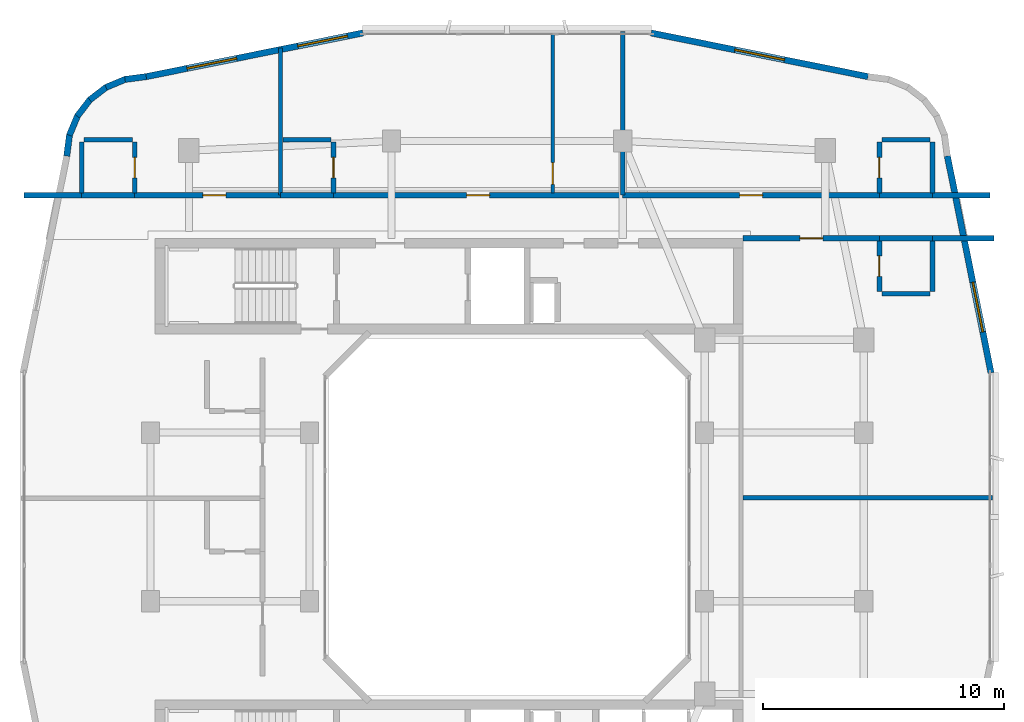
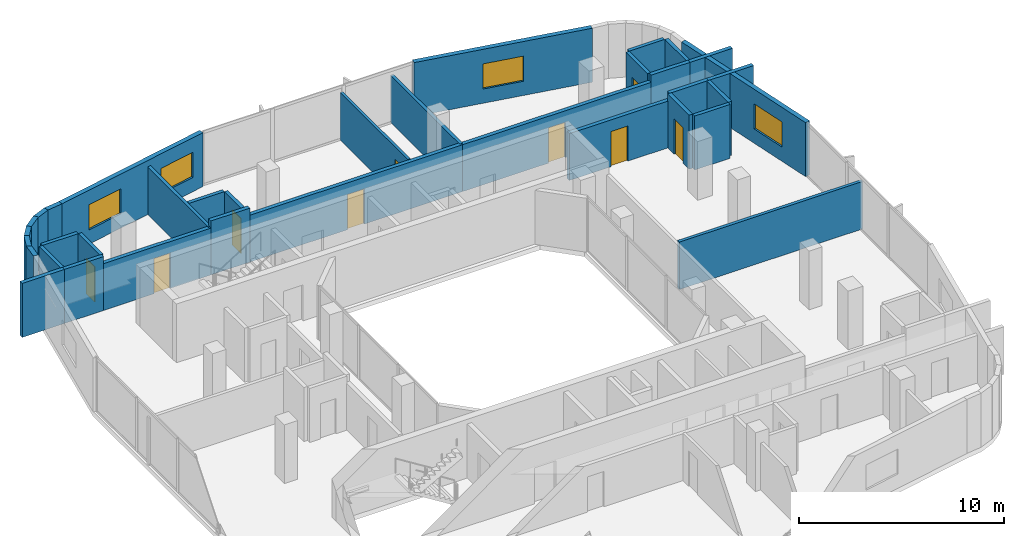
# One storey, part 9 of 14: 35 walls, 9 doors, 4 windows, 13 openings.
"""IFC4 building model written with IfcOpenShell, lengths in metres."""

from ifc_helpers import new_model, si_unit, derived_unit, direction, frame, frame_2d, origin, place, context, subcontext, project, spatial, rectangle, extrude, material, layer, layer_set, type_object, element, fill, save


model = new_model("IFC4")

# Units and contexts
model_context = context("Model", 3, precision=1e-05, world=origin(), true_north=direction((0.0, 1.0)))
body_context = subcontext(model_context, "Body", "Model", "MODEL_VIEW")
ifc_project = project(units=[si_unit("LENGTHUNIT", "METRE"), si_unit("AREAUNIT", "SQUARE_METRE"), si_unit("VOLUMEUNIT", "CUBIC_METRE"), si_unit("PLANEANGLEUNIT", "RADIAN"), si_unit("MASSUNIT", "GRAM", prefix="KILO"), derived_unit("THERMALTRANSMITTANCEUNIT", [(si_unit("POWERUNIT", "WATT"), 1), (si_unit("LENGTHUNIT", "METRE"), -2), (si_unit("THERMODYNAMICTEMPERATUREUNIT", "KELVIN"), -1)])], contexts=[model_context])

# Site, building, storey
site_placement = place(None, origin())
site = spatial("IfcSite", under=ifc_project, at=site_placement, CompositionType="ELEMENT")
building_placement = place(site_placement, origin())
building = spatial("IfcBuilding", under=site, at=building_placement, Name="Kivonza Crest Hotel", CompositionType="ELEMENT")
storey_placement = place(building_placement, frame((0.0, 0.0, 141.5)))
storey = spatial("IfcBuildingStorey", under=building, at=storey_placement, Name="L38", CompositionType="ELEMENT", Elevation=141.5)

# Walls
ifc_material_1 = material(Name="High-density acoustic masonry inter-tenancy wall", Category="masonry")
ifc_layer_1 = layer(ifc_material_1, 0.179931640625)
ifc_layer_set_1 = layer_set([ifc_layer_1], Name="High-density acoustic masonry inter-tenancy wall")
wall_type_1 = type_object("IfcWallType", Name="WL-ACOU-180", PredefinedType="SOLIDWALL", material=ifc_layer_set_1)
wall_1_placement = place(storey_placement, frame((11.60009765625, 38.35009765625, 0.0), z_axis=(0.0, 0.0, 1.0), x_axis=(0.0, 1.0, 0.0)))
element("IfcWall", 1, at=wall_1_placement, inside=storey, type_object=wall_type_1, Name="L38 interior partition WA-L38-T1N-DIV1", PredefinedType="SOLIDWALL", context=body_context, shape_type="SweptSolid", body=[
    extrude(rectangle(XDim=6.115966796875, YDim=0.179931640625, at=frame_2d((3.05810546875, 0.0))), origin(), (0.0, 0.0, 1.0), 2.8349609375),
])
wall_2_placement = place(storey_placement, frame((25.800048828125, 38.35009765625, 0.0), z_axis=(0.0, 0.0, 1.0), x_axis=(0.0, 1.0, 0.0)))
element("IfcWall", 2, at=wall_2_placement, inside=storey, type_object=wall_type_1, Name="L38 interior partition WA-L38-T1N-DIV2", PredefinedType="SOLIDWALL", context=body_context, shape_type="SweptSolid", body=[
    extrude(rectangle(XDim=6.789794921875, YDim=0.179931640625, at=frame_2d((3.39501953125, 0.0))), origin(), (0.0, 0.0, 1.0), 2.794921875),
])
wall_3_placement = place(storey_placement, frame((30.800048828125, 25.800048828125, 0.0), z_axis=(0.0, 0.0, 1.0), x_axis=(1.0, 0.0, 0.0)))
element("IfcWall", 3, at=wall_3_placement, inside=storey, type_object=wall_type_1, Name="L38 interior partition WA-L38-T1EC-DIV", PredefinedType="SOLIDWALL", context=body_context, shape_type="SweptSolid", body=[
    extrude(rectangle(XDim=10.33984375, YDim=0.179931640625, at=frame_2d((5.169921875, 0.0))), origin(), (0.0, 0.0, 1.0), 2.8349609375),
])
ifc_material_2 = material(Name="Autoclaved aerated concrete blockwork", Category="masonry")
ifc_layer_2 = layer(ifc_material_2, 0.219970703125)
ifc_layer_set_2 = layer_set([ifc_layer_2], Name="Autoclaved aerated concrete blockwork")
wall_type_2 = type_object("IfcWallType", Name="WL-ACOU-220", PredefinedType="SOLIDWALL", material=ifc_layer_set_2)
wall_4_placement = place(storey_placement, frame((0.9599609375, 38.35009765625, 0.0), z_axis=(0.0, 0.0, 1.0), x_axis=(1.0, 0.0, 0.0)))
element("IfcWall", 4, at=wall_4_placement, inside=storey, type_object=wall_type_2, Name="L38 interior partition WA-L38-N01-XCORR", PredefinedType="SOLIDWALL", context=body_context, shape_type="SweptSolid", body=[
    extrude(rectangle(XDim=2.39013671875, YDim=0.219970703125, at=frame_2d((1.195068359375, 0.0))), origin(), (0.0, 0.0, 1.0), 3.219970703125),
])
wall_5_placement = place(storey_placement, frame((3.35009765625, 38.35009765625, 0.0), z_axis=(0.0, 0.0, 1.0), x_axis=(1.0, 0.0, 0.0)))
element("IfcWall", 5, at=wall_5_placement, inside=storey, type_object=wall_type_2, Name="L38 interior partition WA-L38-N01-BCORR", PredefinedType="SOLIDWALL", context=body_context, shape_type="SweptSolid", body=[
    extrude(rectangle(XDim=2.199951171875, YDim=0.219970703125, at=frame_2d((1.10009765625, 0.0))), origin(), (0.0, 0.0, 1.0), 3.219970703125),
])

# Wall, opening, door
wall_6_placement = place(storey_placement, frame((5.550048828125, 38.35009765625, 0.0), z_axis=(0.0, 0.0, 1.0), x_axis=(1.0, 0.0, 0.0)))
wall_6 = element("IfcWall", 6, at=wall_6_placement, inside=storey, type_object=wall_type_2, Name="L38 interior partition WA-L38-N01-MCORR", PredefinedType="SOLIDWALL", context=body_context, shape_type="SweptSolid", body=[
    extrude(rectangle(XDim=6.050048828125, YDim=0.219970703125, at=frame_2d((3.02490234375, 0.0))), origin(), (0.0, 0.0, 1.0), 2.794921875),
])
opening_1_placement = place(wall_6_placement, frame((2.830078125, 0.0, 0.0)))
opening_1 = element("IfcOpeningElement", 7, at=opening_1_placement, cuts=wall_6, Name="Opening DU-60", PredefinedType="OPENING", context=body_context, shape_type="SweptSolid", body=[
    extrude(rectangle(XDim=0.949951171875, YDim=2.10009765625, at=frame_2d((0.47509765625, 1.050048828125))), frame((0.0, 0.1201171875, 0.0), z_axis=(0.0, -1.0, 0.0), x_axis=(1.0, 0.0, 0.0)), (0.0, 0.0, 1.0), 0.239990234375),
])
ifc_material_3 = material(Name="Hardwood timber oak", Category="wood")
door_type_1 = type_object("IfcDoorType", Name="DR-UNIT-950", OperationType="NOTDEFINED", PredefinedType="DOOR", material=ifc_material_3)
door_1_placement = place(opening_1_placement, origin())
door_1 = element("IfcDoor", 8, at=door_1_placement, inside=storey, type_object=door_type_1, Name="L38 N01 guest unit entrance fire door", OperationType="SINGLE_SWING_LEFT", OverallHeight=2.10009765625, OverallWidth=0.949951171875, PredefinedType="DOOR", context=body_context, shape_type="SweptSolid", body=[
    extrude(rectangle(XDim=0.949951171875, YDim=2.10009765625, at=frame_2d((0.47509765625, 1.050048828125))), frame((0.0, 0.02490234375, 0.0), z_axis=(0.0, -1.0, 0.0), x_axis=(1.0, 0.0, 0.0)), (0.0, 0.0, 1.0), 0.050048828125),
])
fill(opening_1, door_1)

# Wall
wall_7_placement = place(storey_placement, frame((11.60009765625, 38.35009765625, 0.0), z_axis=(0.0, 0.0, 1.0), x_axis=(1.0, 0.0, 0.0)))
element("IfcWall", 9, at=wall_7_placement, inside=storey, type_object=wall_type_2, Name="L38 interior partition WA-L38-N02-BCORR", PredefinedType="SOLIDWALL", context=body_context, shape_type="SweptSolid", body=[
    extrude(rectangle(XDim=2.199951171875, YDim=0.219970703125, at=frame_2d((1.10009765625, 0.0))), origin(), (0.0, 0.0, 1.0), 3.219970703125),
])

# Wall, opening, door
wall_8_placement = place(storey_placement, frame((13.800048828125, 38.35009765625, 0.0), z_axis=(0.0, 0.0, 1.0), x_axis=(1.0, 0.0, 0.0)))
wall_8 = element("IfcWall", 10, at=wall_8_placement, inside=storey, type_object=wall_type_2, Name="L38 interior partition WA-L38-N02-MCORR", PredefinedType="SOLIDWALL", context=body_context, shape_type="SweptSolid", body=[
    extrude(rectangle(XDim=12.0, YDim=0.219970703125, at=frame_2d((6.0, 0.0))), origin(), (0.0, 0.0, 1.0), 2.794921875),
])
opening_2_placement = place(wall_8_placement, frame((5.52490234375, 0.0, 0.0)))
opening_2 = element("IfcOpeningElement", 11, at=opening_2_placement, cuts=wall_8, Name="Opening DU-60", PredefinedType="OPENING", context=body_context, shape_type="SweptSolid", body=[
    extrude(rectangle(XDim=0.949951171875, YDim=2.10009765625, at=frame_2d((0.47509765625, 1.050048828125))), frame((0.0, 0.1201171875, 0.0), z_axis=(0.0, -1.0, 0.0), x_axis=(1.0, 0.0, 0.0)), (0.0, 0.0, 1.0), 0.239990234375),
])
door_2_placement = place(opening_2_placement, origin())
door_2 = element("IfcDoor", 12, at=door_2_placement, inside=storey, type_object=door_type_1, Name="L38 N02 guest unit entrance fire door", OperationType="SINGLE_SWING_RIGHT", OverallHeight=2.10009765625, OverallWidth=0.949951171875, PredefinedType="DOOR", context=body_context, shape_type="SweptSolid", body=[
    extrude(rectangle(XDim=0.949951171875, YDim=2.10009765625, at=frame_2d((0.47509765625, 1.050048828125))), frame((0.0, 0.02490234375, 0.0), z_axis=(0.0, -1.0, 0.0), x_axis=(1.0, 0.0, 0.0)), (0.0, 0.0, 1.0), 0.050048828125),
])
fill(opening_2, door_2)

# Walls
wall_9_placement = place(storey_placement, frame((38.64990234375, 38.35009765625, 0.0), z_axis=(0.0, 0.0, 1.0), x_axis=(1.0, 0.0, 0.0)))
element("IfcWall", 13, at=wall_9_placement, inside=storey, type_object=wall_type_2, Name="L38 interior partition WA-L38-N03-XCORR", PredefinedType="SOLIDWALL", context=body_context, shape_type="SweptSolid", body=[
    extrude(rectangle(XDim=2.39013671875, YDim=0.219970703125, at=frame_2d((1.195068359375, 0.0))), origin(), (0.0, 0.0, 1.0), 3.219970703125),
])
wall_10_placement = place(storey_placement, frame((36.449951171875, 38.35009765625, 0.0), z_axis=(0.0, 0.0, 1.0), x_axis=(1.0, 0.0, 0.0)))
element("IfcWall", 14, at=wall_10_placement, inside=storey, type_object=wall_type_2, Name="L38 interior partition WA-L38-N03-BCORR", PredefinedType="SOLIDWALL", context=body_context, shape_type="SweptSolid", body=[
    extrude(rectangle(XDim=2.199951171875, YDim=0.219970703125, at=frame_2d((1.10009765625, 0.0))), origin(), (0.0, 0.0, 1.0), 3.219970703125),
])

# Wall, opening, door
wall_11_placement = place(storey_placement, frame((25.800048828125, 38.35009765625, 0.0), z_axis=(0.0, 0.0, 1.0), x_axis=(1.0, 0.0, 0.0)))
wall_11 = element("IfcWall", 15, at=wall_11_placement, inside=storey, type_object=wall_type_2, Name="L38 interior partition WA-L38-N03-MCORR", PredefinedType="SOLIDWALL", context=body_context, shape_type="SweptSolid", body=[
    extrude(rectangle(XDim=10.64990234375, YDim=0.219970703125, at=frame_2d((5.324951171875, 0.0))), origin(), (0.0, 0.0, 1.0), 2.794921875),
])
opening_3_placement = place(wall_11_placement, frame((4.85009765625, 0.0, 0.0)))
opening_3 = element("IfcOpeningElement", 16, at=opening_3_placement, cuts=wall_11, Name="Opening DU-60", PredefinedType="OPENING", context=body_context, shape_type="SweptSolid", body=[
    extrude(rectangle(XDim=0.949951171875, YDim=2.10009765625, at=frame_2d((0.47509765625, 1.050048828125))), frame((0.0, 0.1201171875, 0.0), z_axis=(0.0, -1.0, 0.0), x_axis=(1.0, 0.0, 0.0)), (0.0, 0.0, 1.0), 0.239990234375),
])
door_3_placement = place(opening_3_placement, origin())
door_3 = element("IfcDoor", 17, at=door_3_placement, inside=storey, type_object=door_type_1, Name="L38 N03 guest unit entrance fire door", OperationType="SINGLE_SWING_LEFT", OverallHeight=2.10009765625, OverallWidth=0.949951171875, PredefinedType="DOOR", context=body_context, shape_type="SweptSolid", body=[
    extrude(rectangle(XDim=0.949951171875, YDim=2.10009765625, at=frame_2d((0.47509765625, 1.050048828125))), frame((0.0, 0.02490234375, 0.0), z_axis=(0.0, -1.0, 0.0), x_axis=(1.0, 0.0, 0.0)), (0.0, 0.0, 1.0), 0.050048828125),
])
fill(opening_3, door_3)

# Walls
wall_12_placement = place(storey_placement, frame((38.64990234375, 36.56005859375, 0.0), z_axis=(0.0, 0.0, 1.0), x_axis=(1.0, 0.0, 0.0)))
element("IfcWall", 18, at=wall_12_placement, inside=storey, type_object=wall_type_2, Name="L38 interior partition WA-L38-EN10-XCORR", PredefinedType="SOLIDWALL", context=body_context, shape_type="SweptSolid", body=[
    extrude(rectangle(XDim=2.550048828125, YDim=0.219970703125, at=frame_2d((1.27490234375, 0.0))), origin(), (0.0, 0.0, 1.0), 3.219970703125),
])
wall_13_placement = place(storey_placement, frame((36.449951171875, 36.56005859375, 0.0), z_axis=(0.0, 0.0, 1.0), x_axis=(1.0, 0.0, 0.0)))
element("IfcWall", 19, at=wall_13_placement, inside=storey, type_object=wall_type_2, Name="L38 interior partition WA-L38-EN10-BCORR", PredefinedType="SOLIDWALL", context=body_context, shape_type="SweptSolid", body=[
    extrude(rectangle(XDim=2.199951171875, YDim=0.219970703125, at=frame_2d((1.10009765625, 0.0))), origin(), (0.0, 0.0, 1.0), 3.219970703125),
])

# Wall, opening, door
wall_14_placement = place(storey_placement, frame((30.800048828125, 36.56005859375, 0.0), z_axis=(0.0, 0.0, 1.0), x_axis=(1.0, 0.0, 0.0)))
wall_14 = element("IfcWall", 20, at=wall_14_placement, inside=storey, type_object=wall_type_2, Name="L38 interior partition WA-L38-EN10-MCORR", PredefinedType="SOLIDWALL", context=body_context, shape_type="SweptSolid", body=[
    extrude(rectangle(XDim=5.64990234375, YDim=0.219970703125, at=frame_2d((2.824951171875, 0.0))), origin(), (0.0, 0.0, 1.0), 2.794921875),
])
opening_4_placement = place(wall_14_placement, frame((2.35009765625, 0.0, 0.0)))
opening_4 = element("IfcOpeningElement", 21, at=opening_4_placement, cuts=wall_14, Name="Opening DU-60", PredefinedType="OPENING", context=body_context, shape_type="SweptSolid", body=[
    extrude(rectangle(XDim=0.949951171875, YDim=2.10009765625, at=frame_2d((0.47509765625, 1.050048828125))), frame((0.0, 0.1201171875, 0.0), z_axis=(0.0, -1.0, 0.0), x_axis=(1.0, 0.0, 0.0)), (0.0, 0.0, 1.0), 0.239990234375),
])
door_4_placement = place(opening_4_placement, frame((0.949951171875, 0.0, 0.0), z_axis=(0.0, 0.0, 1.0), x_axis=(-1.0, 0.0, 0.0)))
door_4 = element("IfcDoor", 22, at=door_4_placement, inside=storey, type_object=door_type_1, Name="L38 EN10 guest unit entrance fire door", OperationType="SINGLE_SWING_LEFT", OverallHeight=2.10009765625, OverallWidth=0.949951171875, PredefinedType="DOOR", context=body_context, shape_type="SweptSolid", body=[
    extrude(rectangle(XDim=0.949951171875, YDim=2.10009765625, at=frame_2d((0.47509765625, 1.050048828125))), frame((0.0, 0.02490234375, 0.0), z_axis=(0.0, -1.0, 0.0), x_axis=(1.0, 0.0, 0.0)), (0.0, 0.0, 1.0), 0.050048828125),
])
fill(opening_4, door_4)

# Wall, opening, window
ifc_material_4 = material(Name="Precast concrete C40/50", Category="concrete")
ifc_layer_3 = layer(ifc_material_4, 0.260009765625)
ifc_layer_set_3 = layer_set([ifc_layer_3], Name="Precast concrete C40/50")
wall_type_3 = type_object("IfcWallType", Name="WL-EXT-260", PredefinedType="STANDARD", material=ifc_layer_set_3)
wall_15_placement = place(storey_placement, frame((41.083984375, 30.97998046875, 0.0), z_axis=(0.0, 0.0, 1.0), x_axis=(-0.197435082048, 0.980315963543, 0.0)))
wall_15 = element("IfcWall", 23, at=wall_15_placement, inside=storey, type_object=wall_type_3, Name="L38 T1 exterior insulated wall 18", PredefinedType="STANDARD", context=body_context, shape_type="SweptSolid", body=[
    extrude(rectangle(XDim=9.1826171875, YDim=0.260009765625, at=frame_2d((4.59130859375, 0.0))), origin(), (0.0, 0.0, 1.0), 3.219970703125),
])
opening_5_placement = place(wall_15_placement, frame((1.73388671875, 0.0, 0.85009765625)))
opening_5 = element("IfcOpeningElement", 24, at=opening_5_placement, cuts=wall_15, Name="Opening WN-04", PredefinedType="OPENING", context=body_context, shape_type="SweptSolid", body=[
    extrude(rectangle(XDim=2.10009765625, YDim=1.5, at=frame_2d((1.050048828125, 0.75))), frame((0.0, 0.14013671875, 0.0), z_axis=(0.0, -1.0, 0.0), x_axis=(1.0, 0.0, 0.0)), (0.0, 0.0, 1.0), 0.280029296875),
])
ifc_material_5 = material(Name="Thermally broken bronze aluminium and low-E double glazing", Category="aluminium")
window_type = type_object("IfcWindowType", Name="WN-210x150", PartitioningType="DOUBLE_PANEL_VERTICAL", PredefinedType="WINDOW", material=ifc_material_5)
window_1_placement = place(opening_5_placement, origin())
window_1 = element("IfcWindow", 25, at=window_1_placement, inside=storey, type_object=window_type, Name="L38 T1 facade window 18", OverallHeight=1.5, OverallWidth=2.10009765625, PartitioningType="SINGLE_PANEL", PredefinedType="WINDOW", context=body_context, shape_type="SweptSolid", body=[
    extrude(rectangle(XDim=2.10009765625, YDim=1.5, at=frame_2d((1.050048828125, 0.75))), frame((0.0, 0.030029296875, 0.0), z_axis=(0.0, -1.0, 0.0), x_axis=(1.0, 0.0, 0.0)), (0.0, 0.0, 1.0), 0.06005859375),
])
fill(opening_5, window_1)

wall_16_placement = place(storey_placement, frame((35.98193359375, 43.27099609375, 0.0), z_axis=(0.0, 0.0, 1.0), x_axis=(-0.980315963543, 0.197435082048, 0.0)))
wall_16 = element("IfcWall", 26, at=wall_16_placement, inside=storey, type_object=wall_type_3, Name="L38 T1 exterior insulated wall 25", PredefinedType="STANDARD", context=body_context, shape_type="SweptSolid", body=[
    extrude(rectangle(XDim=9.1826171875, YDim=0.260009765625, at=frame_2d((4.59130859375, 0.0))), origin(), (0.0, 0.0, 1.0), 3.219970703125),
])
opening_6_placement = place(wall_16_placement, frame((3.541015625, 0.0, 0.85009765625)))
opening_6 = element("IfcOpeningElement", 27, at=opening_6_placement, cuts=wall_16, Name="Opening WN-04", PredefinedType="OPENING", context=body_context, shape_type="SweptSolid", body=[
    extrude(rectangle(XDim=2.10009765625, YDim=1.5, at=frame_2d((1.050048828125, 0.75))), frame((0.0, 0.14013671875, 0.0), z_axis=(0.0, -1.0, 0.0), x_axis=(1.0, 0.0, 0.0)), (0.0, 0.0, 1.0), 0.280029296875),
])
window_2_placement = place(opening_6_placement, origin())
window_2 = element("IfcWindow", 28, at=window_2_placement, inside=storey, type_object=window_type, Name="L38 T1 facade window 25", OverallHeight=1.5, OverallWidth=2.10009765625, PartitioningType="SINGLE_PANEL", PredefinedType="WINDOW", context=body_context, shape_type="SweptSolid", body=[
    extrude(rectangle(XDim=2.10009765625, YDim=1.5, at=frame_2d((1.050048828125, 0.75))), frame((0.0, 0.030029296875, 0.0), z_axis=(0.0, -1.0, 0.0), x_axis=(1.0, 0.0, 0.0)), (0.0, 0.0, 1.0), 0.06005859375),
])
fill(opening_6, window_2)

# Wall, openings, windows
wall_17_placement = place(storey_placement, frame((15.02001953125, 45.083984375, 0.0), z_axis=(0.0, 0.0, 1.0), x_axis=(-0.980315963543, -0.197435082048, 0.0)))
wall_17 = element("IfcWall", 29, at=wall_17_placement, inside=storey, type_object=wall_type_3, Name="L38 T1 exterior insulated wall 27", PredefinedType="STANDARD", context=body_context, shape_type="SweptSolid", body=[
    extrude(rectangle(XDim=9.1826171875, YDim=0.260009765625, at=frame_2d((4.59130859375, 0.0))), origin(), (0.0, 0.0, 1.0), 3.219970703125),
])
opening_7_placement = place(wall_17_placement, frame((0.656982421875, 0.0, 0.85009765625)))
opening_7 = element("IfcOpeningElement", 30, at=opening_7_placement, cuts=wall_17, Name="Opening WN-04", PredefinedType="OPENING", context=body_context, shape_type="SweptSolid", body=[
    extrude(rectangle(XDim=2.10009765625, YDim=1.5, at=frame_2d((1.050048828125, 0.75))), frame((0.0, 0.14013671875, 0.0), z_axis=(0.0, -1.0, 0.0), x_axis=(1.0, 0.0, 0.0)), (0.0, 0.0, 1.0), 0.280029296875),
])
opening_8_placement = place(wall_17_placement, frame((5.347900390625, 0.0, 0.85009765625)))
opening_8 = element("IfcOpeningElement", 31, at=opening_8_placement, cuts=wall_17, Name="Opening WN-04", PredefinedType="OPENING", context=body_context, shape_type="SweptSolid", body=[
    extrude(rectangle(XDim=2.10009765625, YDim=1.5, at=frame_2d((1.050048828125, 0.75))), frame((0.0, 0.14013671875, 0.0), z_axis=(0.0, -1.0, 0.0), x_axis=(1.0, 0.0, 0.0)), (0.0, 0.0, 1.0), 0.280029296875),
])
window_3_placement = place(opening_7_placement, origin())
window_3 = element("IfcWindow", 32, at=window_3_placement, inside=storey, type_object=window_type, Name="L38 T1 facade window 27 bay 1", OverallHeight=1.5, OverallWidth=2.10009765625, PartitioningType="SINGLE_PANEL", PredefinedType="WINDOW", context=body_context, shape_type="SweptSolid", body=[
    extrude(rectangle(XDim=2.10009765625, YDim=1.5, at=frame_2d((1.050048828125, 0.75))), frame((0.0, 0.030029296875, 0.0), z_axis=(0.0, -1.0, 0.0), x_axis=(1.0, 0.0, 0.0)), (0.0, 0.0, 1.0), 0.06005859375),
])
fill(opening_7, window_3)
window_4_placement = place(opening_8_placement, origin())
window_4 = element("IfcWindow", 33, at=window_4_placement, inside=storey, type_object=window_type, Name="L38 T1 facade window 27 bay 2", OverallHeight=1.5, OverallWidth=2.10009765625, PartitioningType="SINGLE_PANEL", PredefinedType="WINDOW", context=body_context, shape_type="SweptSolid", body=[
    extrude(rectangle(XDim=2.10009765625, YDim=1.5, at=frame_2d((1.050048828125, 0.75))), frame((0.0, 0.030029296875, 0.0), z_axis=(0.0, -1.0, 0.0), x_axis=(1.0, 0.0, 0.0)), (0.0, 0.0, 1.0), 0.06005859375),
])
fill(opening_8, window_4)

# Walls
wall_18_placement = place(storey_placement, frame((6.02490234375, 43.27197265625, 0.0), z_axis=(0.0, 0.0, 1.0), x_axis=(-0.991388484223, -0.130953706898, 0.0)))
element("IfcWall", 34, at=wall_18_placement, inside=storey, type_object=wall_type_3, Name="L38 T1 exterior insulated wall 28", PredefinedType="STANDARD", context=body_context, shape_type="SweptSolid", body=[
    extrude(rectangle(XDim=0.885498046875, YDim=0.260009765625, at=frame_2d((0.44287109375, 0.0))), origin(), (0.0, 0.0, 1.0), 3.219970703125),
])
wall_19_placement = place(storey_placement, frame((5.193115234375, 43.174072265625, 0.0), z_axis=(0.0, 0.0, 1.0), x_axis=(-0.923627776508, -0.383290660547, 0.0)))
element("IfcWall", 35, at=wall_19_placement, inside=storey, type_object=wall_type_3, Name="L38 T1 exterior insulated wall 29", PredefinedType="STANDARD", context=body_context, shape_type="SweptSolid", body=[
    extrude(rectangle(XDim=0.9033203125, YDim=0.260009765625, at=frame_2d((0.45166015625, 0.0))), origin(), (0.0, 0.0, 1.0), 3.219970703125),
])
wall_20_placement = place(storey_placement, frame((4.39892578125, 42.85595703125, 0.0), z_axis=(0.0, 0.0, 1.0), x_axis=(-0.793458244748, -0.608624690463, 0.0)))
element("IfcWall", 36, at=wall_20_placement, inside=storey, type_object=wall_type_3, Name="L38 T1 exterior insulated wall 30", PredefinedType="STANDARD", context=body_context, shape_type="SweptSolid", body=[
    extrude(rectangle(XDim=0.902099609375, YDim=0.260009765625, at=frame_2d((0.451171875, 0.0))), origin(), (0.0, 0.0, 1.0), 3.219970703125),
])
wall_21_placement = place(storey_placement, frame((3.714111328125, 42.344970703125, 0.0), z_axis=(0.0, 0.0, 1.0), x_axis=(-0.608494022858, -0.793558456666, 0.0)))
element("IfcWall", 37, at=wall_21_placement, inside=storey, type_object=wall_type_3, Name="L38 T1 exterior insulated wall 31", PredefinedType="STANDARD", context=body_context, shape_type="SweptSolid", body=[
    extrude(rectangle(XDim=0.90234375, YDim=0.260009765625, at=frame_2d((0.451171875, 0.0))), origin(), (0.0, 0.0, 1.0), 3.219970703125),
])
wall_22_placement = place(storey_placement, frame((3.18603515625, 41.673095703125, 0.0), z_axis=(0.0, 0.0, 1.0), x_axis=(-0.383155708213, -0.923683767999, 0.0)))
element("IfcWall", 38, at=wall_22_placement, inside=storey, type_object=wall_type_3, Name="L38 T1 exterior insulated wall 32", PredefinedType="STANDARD", context=body_context, shape_type="SweptSolid", body=[
    extrude(rectangle(XDim=0.90283203125, YDim=0.260009765625, at=frame_2d((0.451416015625, 0.0))), origin(), (0.0, 0.0, 1.0), 3.219970703125),
])
wall_23_placement = place(storey_placement, frame((2.847900390625, 40.887939453125, 0.0), z_axis=(0.0, 0.0, 1.0), x_axis=(-0.130200706103, -0.991487658083, 0.0)))
element("IfcWall", 39, at=wall_23_placement, inside=storey, type_object=wall_type_3, Name="L38 T1 exterior insulated wall 33", PredefinedType="STANDARD", context=body_context, shape_type="SweptSolid", body=[
    extrude(rectangle(XDim=0.920654296875, YDim=0.260009765625, at=frame_2d((0.46044921875, 0.0))), origin(), (0.0, 0.0, 1.0), 3.219970703125),
])

# Wall, opening, door
ifc_material_6 = material(Name="Twin-stud acoustic gypsum board partition", Category="gypsum")
ifc_layer_4 = layer(ifc_material_6, 0.14990234375)
ifc_layer_set_4 = layer_set([ifc_layer_4], Name="Twin-stud acoustic gypsum board partition")
wall_type_4 = type_object("IfcWallType", Name="WL-PART-150", PredefinedType="PARTITIONING", material=ifc_layer_set_4)
wall_24_placement = place(storey_placement, frame((22.89990234375, 38.449951171875, 0.0), z_axis=(0.0, 0.0, 1.0), x_axis=(0.0, 1.0, 0.0)))
wall_24 = element("IfcWall", 40, at=wall_24_placement, inside=storey, type_object=wall_type_4, Name="L38 interior partition WP-L38-N02-SPSP", PredefinedType="PARTITIONING", context=body_context, shape_type="SweptSolid", body=[
    extrude(rectangle(XDim=6.590087890625, YDim=0.14990234375, at=frame_2d((3.294921875, 0.0))), origin(), (0.0, 0.0, 1.0), 2.8349609375),
])
opening_9_placement = place(wall_24_placement, frame((0.35009765625, 0.0, 0.0)))
opening_9 = element("IfcOpeningElement", 41, at=opening_9_placement, cuts=wall_24, Name="Opening DI-90", PredefinedType="OPENING", context=body_context, shape_type="SweptSolid", body=[
    extrude(rectangle(XDim=0.89990234375, YDim=2.10009765625, at=frame_2d((0.449951171875, 1.050048828125))), frame((0.0, 0.0849609375, 0.0), z_axis=(0.0, -1.0, 0.0), x_axis=(1.0, 0.0, 0.0)), (0.0, 0.0, 1.0), 0.169921875),
])
door_type_2 = type_object("IfcDoorType", Name="DR-INT-900", OperationType="NOTDEFINED", PredefinedType="DOOR", material=ifc_material_3)
door_5_placement = place(opening_9_placement, origin())
door_5 = element("IfcDoor", 42, at=door_5_placement, inside=storey, type_object=door_type_2, Name="L38 N02 suite bedroom door", OperationType="SINGLE_SWING_LEFT", OverallHeight=2.10009765625, OverallWidth=0.89990234375, PredefinedType="DOOR", context=body_context, shape_type="SweptSolid", body=[
    extrude(rectangle(XDim=0.89990234375, YDim=2.10009765625, at=frame_2d((0.449951171875, 1.050048828125))), frame((0.0, 0.02490234375, 0.0), z_axis=(0.0, -1.0, 0.0), x_axis=(1.0, 0.0, 0.0)), (0.0, 0.0, 1.0), 0.050048828125),
])
fill(opening_9, door_5)

ifc_material_7 = material(Name="Moisture-resistant plumbing chase partition wall", Category="gypsum")
ifc_layer_5 = layer(ifc_material_7, 0.199951171875)
ifc_layer_set_5 = layer_set([ifc_layer_5], Name="Moisture-resistant plumbing chase partition wall")
wall_type_5 = type_object("IfcWallType", Name="WL-PLUMB-200", PredefinedType="PLUMBINGWALL", material=ifc_layer_set_5)
wall_25_placement = place(storey_placement, frame((5.550048828125, 38.449951171875, 0.0), z_axis=(0.0, 0.0, 1.0), x_axis=(0.0, 1.0, 0.0)))
wall_25 = element("IfcWall", 43, at=wall_25_placement, inside=storey, type_object=wall_type_5, Name="L38 interior partition WW-L38-N01-BV", PredefinedType="PLUMBINGWALL", context=body_context, shape_type="SweptSolid", body=[
    extrude(rectangle(XDim=2.10009765625, YDim=0.199951171875, at=frame_2d((1.050048828125, 0.0))), origin(), (0.0, 0.0, 1.0), 3.219970703125),
])
opening_10_placement = place(wall_25_placement, frame((0.625, 0.0, 0.0)))
opening_10 = element("IfcOpeningElement", 44, at=opening_10_placement, cuts=wall_25, Name="Opening DI-85", PredefinedType="OPENING", context=body_context, shape_type="SweptSolid", body=[
    extrude(rectangle(XDim=0.85009765625, YDim=2.10009765625, at=frame_2d((0.425048828125, 1.050048828125))), frame((0.0, 0.10986328125, 0.0), z_axis=(0.0, -1.0, 0.0), x_axis=(1.0, 0.0, 0.0)), (0.0, 0.0, 1.0), 0.219970703125),
])
door_type_3 = type_object("IfcDoorType", Name="DR-INT-850", OperationType="NOTDEFINED", PredefinedType="DOOR", material=ifc_material_3)
door_6_placement = place(opening_10_placement, frame((0.85009765625, 0.0, 0.0), z_axis=(0.0, 0.0, 1.0), x_axis=(-1.0, 0.0, 0.0)))
door_6 = element("IfcDoor", 45, at=door_6_placement, inside=storey, type_object=door_type_3, Name="L38 N01 en-suite bathroom door", OperationType="SINGLE_SWING_RIGHT", OverallHeight=2.10009765625, OverallWidth=0.85009765625, PredefinedType="DOOR", context=body_context, shape_type="SweptSolid", body=[
    extrude(rectangle(XDim=0.85009765625, YDim=2.10009765625, at=frame_2d((0.425048828125, 1.050048828125))), frame((0.0, 0.02490234375, 0.0), z_axis=(0.0, -1.0, 0.0), x_axis=(1.0, 0.0, 0.0)), (0.0, 0.0, 1.0), 0.050048828125),
])
fill(opening_10, door_6)

# Walls
wall_26_placement = place(storey_placement, frame((3.449951171875, 40.64990234375, 0.0), z_axis=(0.0, 0.0, 1.0), x_axis=(1.0, 0.0, 0.0)))
element("IfcWall", 46, at=wall_26_placement, inside=storey, type_object=wall_type_5, Name="L38 interior partition WW-L38-N01-BH", PredefinedType="PLUMBINGWALL", context=body_context, shape_type="SweptSolid", body=[
    extrude(rectangle(XDim=2.0, YDim=0.199951171875, at=frame_2d((1.0, 0.0))), origin(), (0.0, 0.0, 1.0), 3.219970703125),
])
wall_27_placement = place(storey_placement, frame((3.35009765625, 38.449951171875, 0.0), z_axis=(0.0, 0.0, 1.0), x_axis=(0.0, 1.0, 0.0)))
element("IfcWall", 47, at=wall_27_placement, inside=storey, type_object=wall_type_5, Name="L38 interior partition WW-L38-N01-BVW", PredefinedType="PLUMBINGWALL", context=body_context, shape_type="SweptSolid", body=[
    extrude(rectangle(XDim=2.10009765625, YDim=0.199951171875, at=frame_2d((1.050048828125, 0.0))), origin(), (0.0, 0.0, 1.0), 3.219970703125),
])

# Wall, opening, door
wall_28_placement = place(storey_placement, frame((13.800048828125, 38.449951171875, 0.0), z_axis=(0.0, 0.0, 1.0), x_axis=(0.0, 1.0, 0.0)))
wall_28 = element("IfcWall", 48, at=wall_28_placement, inside=storey, type_object=wall_type_5, Name="L38 interior partition WW-L38-N02-BV", PredefinedType="PLUMBINGWALL", context=body_context, shape_type="SweptSolid", body=[
    extrude(rectangle(XDim=2.10009765625, YDim=0.199951171875, at=frame_2d((1.050048828125, 0.0))), origin(), (0.0, 0.0, 1.0), 2.8349609375),
])
opening_11_placement = place(wall_28_placement, frame((0.625, 0.0, 0.0)))
opening_11 = element("IfcOpeningElement", 49, at=opening_11_placement, cuts=wall_28, Name="Opening DI-85", PredefinedType="OPENING", context=body_context, shape_type="SweptSolid", body=[
    extrude(rectangle(XDim=0.85009765625, YDim=2.10009765625, at=frame_2d((0.425048828125, 1.050048828125))), frame((0.0, 0.10986328125, 0.0), z_axis=(0.0, -1.0, 0.0), x_axis=(1.0, 0.0, 0.0)), (0.0, 0.0, 1.0), 0.219970703125),
])
door_7_placement = place(opening_11_placement, frame((0.85009765625, 0.0, 0.0), z_axis=(0.0, 0.0, 1.0), x_axis=(-1.0, 0.0, 0.0)))
door_7 = element("IfcDoor", 50, at=door_7_placement, inside=storey, type_object=door_type_3, Name="L38 N02 en-suite bathroom door", OperationType="SINGLE_SWING_LEFT", OverallHeight=2.10009765625, OverallWidth=0.85009765625, PredefinedType="DOOR", context=body_context, shape_type="SweptSolid", body=[
    extrude(rectangle(XDim=0.85009765625, YDim=2.10009765625, at=frame_2d((0.425048828125, 1.050048828125))), frame((0.0, 0.02490234375, 0.0), z_axis=(0.0, -1.0, 0.0), x_axis=(1.0, 0.0, 0.0)), (0.0, 0.0, 1.0), 0.050048828125),
])
fill(opening_11, door_7)

# Wall
wall_29_placement = place(storey_placement, frame((11.699951171875, 40.64990234375, 0.0), z_axis=(0.0, 0.0, 1.0), x_axis=(1.0, 0.0, 0.0)))
element("IfcWall", 51, at=wall_29_placement, inside=storey, type_object=wall_type_5, Name="L38 interior partition WW-L38-N02-BH", PredefinedType="PLUMBINGWALL", context=body_context, shape_type="SweptSolid", body=[
    extrude(rectangle(XDim=2.0, YDim=0.199951171875, at=frame_2d((1.0, 0.0))), origin(), (0.0, 0.0, 1.0), 2.8349609375),
])

# Wall, opening, door
wall_30_placement = place(storey_placement, frame((36.449951171875, 38.449951171875, 0.0), z_axis=(0.0, 0.0, 1.0), x_axis=(0.0, 1.0, 0.0)))
wall_30 = element("IfcWall", 52, at=wall_30_placement, inside=storey, type_object=wall_type_5, Name="L38 interior partition WW-L38-N03-BV", PredefinedType="PLUMBINGWALL", context=body_context, shape_type="SweptSolid", body=[
    extrude(rectangle(XDim=2.10009765625, YDim=0.199951171875, at=frame_2d((1.050048828125, 0.0))), origin(), (0.0, 0.0, 1.0), 3.219970703125),
])
opening_12_placement = place(wall_30_placement, frame((0.625, 0.0, 0.0)))
opening_12 = element("IfcOpeningElement", 53, at=opening_12_placement, cuts=wall_30, Name="Opening DI-85", PredefinedType="OPENING", context=body_context, shape_type="SweptSolid", body=[
    extrude(rectangle(XDim=0.85009765625, YDim=2.10009765625, at=frame_2d((0.425048828125, 1.050048828125))), frame((0.0, 0.10986328125, 0.0), z_axis=(0.0, -1.0, 0.0), x_axis=(1.0, 0.0, 0.0)), (0.0, 0.0, 1.0), 0.219970703125),
])
door_8_placement = place(opening_12_placement, origin())
door_8 = element("IfcDoor", 54, at=door_8_placement, inside=storey, type_object=door_type_3, Name="L38 N03 en-suite bathroom door", OperationType="SINGLE_SWING_RIGHT", OverallHeight=2.10009765625, OverallWidth=0.85009765625, PredefinedType="DOOR", context=body_context, shape_type="SweptSolid", body=[
    extrude(rectangle(XDim=0.85009765625, YDim=2.10009765625, at=frame_2d((0.425048828125, 1.050048828125))), frame((0.0, 0.02490234375, 0.0), z_axis=(0.0, -1.0, 0.0), x_axis=(1.0, 0.0, 0.0)), (0.0, 0.0, 1.0), 0.050048828125),
])
fill(opening_12, door_8)

# Walls
wall_31_placement = place(storey_placement, frame((36.550048828125, 40.64990234375, 0.0), z_axis=(0.0, 0.0, 1.0), x_axis=(1.0, 0.0, 0.0)))
element("IfcWall", 55, at=wall_31_placement, inside=storey, type_object=wall_type_5, Name="L38 interior partition WW-L38-N03-BH", PredefinedType="PLUMBINGWALL", context=body_context, shape_type="SweptSolid", body=[
    extrude(rectangle(XDim=2.0, YDim=0.199951171875, at=frame_2d((1.0, 0.0))), origin(), (0.0, 0.0, 1.0), 3.219970703125),
])
wall_32_placement = place(storey_placement, frame((38.64990234375, 38.449951171875, 0.0), z_axis=(0.0, 0.0, 1.0), x_axis=(0.0, 1.0, 0.0)))
element("IfcWall", 56, at=wall_32_placement, inside=storey, type_object=wall_type_5, Name="L38 interior partition WW-L38-N03-BVE", PredefinedType="PLUMBINGWALL", context=body_context, shape_type="SweptSolid", body=[
    extrude(rectangle(XDim=2.10009765625, YDim=0.199951171875, at=frame_2d((1.050048828125, 0.0))), origin(), (0.0, 0.0, 1.0), 3.219970703125),
])

# Wall, opening, door
wall_33_placement = place(storey_placement, frame((36.449951171875, 34.360107421875, 0.0), z_axis=(0.0, 0.0, 1.0), x_axis=(0.0, 1.0, 0.0)))
wall_33 = element("IfcWall", 57, at=wall_33_placement, inside=storey, type_object=wall_type_5, Name="L38 interior partition WW-L38-EN10-BV", PredefinedType="PLUMBINGWALL", context=body_context, shape_type="SweptSolid", body=[
    extrude(rectangle(XDim=2.099853515625, YDim=0.199951171875, at=frame_2d((1.0498046875, 0.0))), origin(), (0.0, 0.0, 1.0), 3.219970703125),
])
opening_13_placement = place(wall_33_placement, frame((0.625, 0.0, 0.0)))
opening_13 = element("IfcOpeningElement", 58, at=opening_13_placement, cuts=wall_33, Name="Opening DI-85", PredefinedType="OPENING", context=body_context, shape_type="SweptSolid", body=[
    extrude(rectangle(XDim=0.85009765625, YDim=2.10009765625, at=frame_2d((0.425048828125, 1.050048828125))), frame((0.0, 0.10986328125, 0.0), z_axis=(0.0, -1.0, 0.0), x_axis=(1.0, 0.0, 0.0)), (0.0, 0.0, 1.0), 0.219970703125),
])
door_9_placement = place(opening_13_placement, origin())
door_9 = element("IfcDoor", 59, at=door_9_placement, inside=storey, type_object=door_type_3, Name="L38 EN10 en-suite bathroom door", OperationType="SINGLE_SWING_RIGHT", OverallHeight=2.10009765625, OverallWidth=0.85009765625, PredefinedType="DOOR", context=body_context, shape_type="SweptSolid", body=[
    extrude(rectangle(XDim=0.85009765625, YDim=2.10009765625, at=frame_2d((0.425048828125, 1.050048828125))), frame((0.0, 0.02490234375, 0.0), z_axis=(0.0, -1.0, 0.0), x_axis=(1.0, 0.0, 0.0)), (0.0, 0.0, 1.0), 0.050048828125),
])
fill(opening_13, door_9)

# Walls
wall_34_placement = place(storey_placement, frame((36.550048828125, 34.260009765625, 0.0), z_axis=(0.0, 0.0, 1.0), x_axis=(1.0, 0.0, 0.0)))
element("IfcWall", 60, at=wall_34_placement, inside=storey, type_object=wall_type_5, Name="L38 interior partition WW-L38-EN10-BH", PredefinedType="PLUMBINGWALL", context=body_context, shape_type="SweptSolid", body=[
    extrude(rectangle(XDim=2.0, YDim=0.199951171875, at=frame_2d((1.0, 0.0))), origin(), (0.0, 0.0, 1.0), 3.219970703125),
])
wall_35_placement = place(storey_placement, frame((38.64990234375, 34.360107421875, 0.0), z_axis=(0.0, 0.0, 1.0), x_axis=(0.0, 1.0, 0.0)))
element("IfcWall", 61, at=wall_35_placement, inside=storey, type_object=wall_type_5, Name="L38 interior partition WW-L38-EN10-BVE", PredefinedType="PLUMBINGWALL", context=body_context, shape_type="SweptSolid", body=[
    extrude(rectangle(XDim=2.099853515625, YDim=0.199951171875, at=frame_2d((1.0498046875, 0.0))), origin(), (0.0, 0.0, 1.0), 3.219970703125),
])

save(model, "model.ifc")
